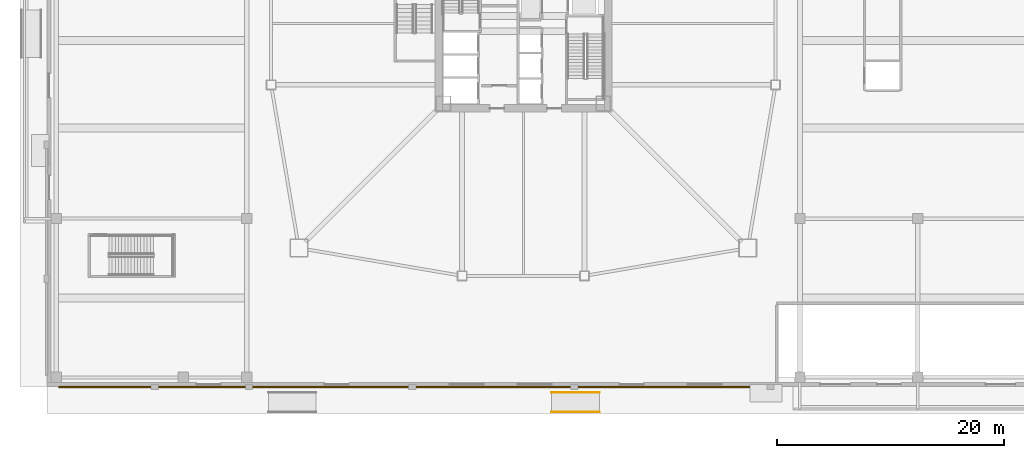
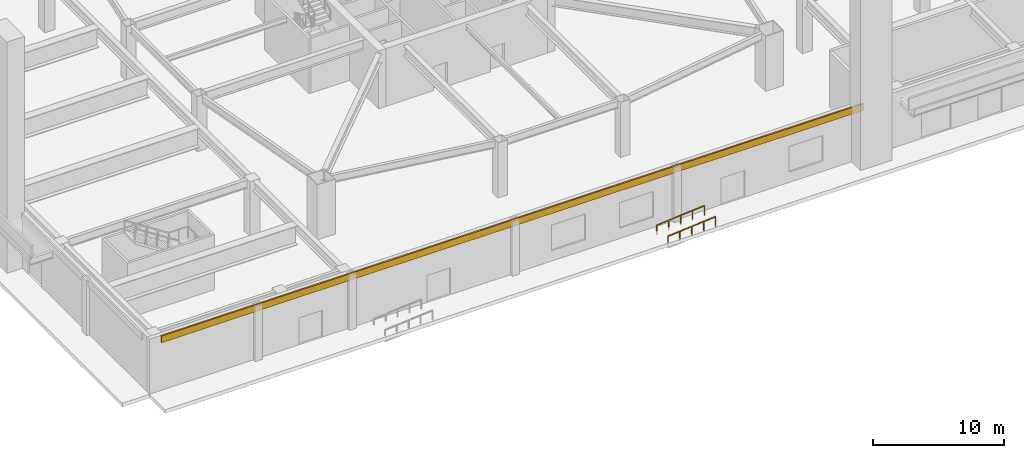
# One storey, part 18 of 26: 2 railings, 1 covering.
"""IFC4 building model written with IfcOpenShell, lengths in metres."""

from ifc_helpers import new_model, si_unit, direction, frame, origin, origin_2d, place, context, subcontext, project, spatial, rectangle, extrude, material, layer, layer_set, type_object, element, save


model = new_model("IFC4")

# Units and contexts
model_context = context("Model", 3, precision=1e-05, world=origin(), true_north=direction((0.0, 1.0)))
body_context = subcontext(model_context, "Body", "Model", "MODEL_VIEW")
ifc_project = project(units=[si_unit("LENGTHUNIT", "METRE"), si_unit("AREAUNIT", "SQUARE_METRE"), si_unit("VOLUMEUNIT", "CUBIC_METRE"), si_unit("PLANEANGLEUNIT", "RADIAN"), si_unit("MASSUNIT", "GRAM", prefix="KILO")], contexts=[model_context])

# Site, building, storey
site_placement = place(None, origin())
site = spatial("IfcSite", under=ifc_project, at=site_placement, CompositionType="ELEMENT")
building_placement = place(site_placement, origin())
building = spatial("IfcBuilding", under=site, at=building_placement, Name="Tashvorn Skyway Center", CompositionType="ELEMENT")
storey_placement = place(building_placement, origin())
storey = spatial("IfcBuildingStorey", under=building, at=storey_placement, Name="L00", CompositionType="ELEMENT", Elevation=0.0)

# Covering
ifc_material_1 = material(Name="Precast concrete C40/50", Category="concrete")
ifc_layer = layer(ifc_material_1, 0.35009765625)
ifc_layer_set = layer_set([ifc_layer], Name="Precast concrete C40/50")
covering_type = type_object("IfcCoveringType", Name="COV-STONE-TRIM", PredefinedType="CLADDING", material=ifc_layer_set)
covering_placement = place(storey_placement, frame((32.0, -0.0400390625, 4.52001953125), z_axis=(0.0, 0.0, 1.0), x_axis=(1.0, 0.0, 0.0)))
element("IfcCovering", 1, at=covering_placement, inside=storey, type_object=covering_type, Name="L00 Mojave Limestone Entablature Band S1", PredefinedType="CLADDING", context=body_context, shape_type="SweptSolid", body=[
    extrude(rectangle(XDim=62.0, YDim=0.139892578125, at=origin_2d()), origin(), (0.0, 0.0, 1.0), 0.6201171875),
])

# Railings
ifc_material_2 = material(Name="Brushed stainless steel 316", Category="steel")
railing_type = type_object("IfcRailingType", Name="RAIL-HAND-920", PredefinedType="HANDRAIL", material=ifc_material_2)
for number, where, name in (
    (2, (44.5, -2.25, -0.35009765625), "Accessible Ramp S2 Handrail L"),
    (3, (44.5, -0.550048828125, -0.35009765625), "Accessible Ramp S2 Handrail R"),
):
    element("IfcRailing", number, at=place(storey_placement, frame(where)), inside=storey, type_object=railing_type, Name=name, PredefinedType="HANDRAIL", context=body_context, shape_type="SweptSolid", body=[
        extrude(rectangle(XDim=0.048095703125, YDim=0.048095703125, at=origin_2d()), frame((0.0, 0.0, 0.89599609375), z_axis=(0.996543760423, 0.0, 0.083069450238), x_axis=(0.0, 1.0, 0.0)), (0.0, 0.0, 1.0), 4.214599609375),
        extrude(rectangle(XDim=0.0419921875, YDim=0.0419921875, at=origin_2d()), origin(), (0.0, 0.0, 1.0), 0.871826171875),
        extrude(rectangle(XDim=0.0419921875, YDim=0.0419921875, at=origin_2d()), frame((1.050048828125, 0.0, 0.08740234375)), (0.0, 0.0, 1.0), 0.871826171875),
        extrude(rectangle(XDim=0.0419921875, YDim=0.0419921875, at=origin_2d()), frame((2.10009765625, 0.0, 0.175048828125)), (0.0, 0.0, 1.0), 0.871826171875),
        extrude(rectangle(XDim=0.0419921875, YDim=0.0419921875, at=origin_2d()), frame((3.14990234375, 0.0, 0.2626953125)), (0.0, 0.0, 1.0), 0.871826171875),
        extrude(rectangle(XDim=0.0419921875, YDim=0.0419921875, at=origin_2d()), frame((4.199951171875, 0.0, 0.35009765625)), (0.0, 0.0, 1.0), 0.871826171875),
    ])

save(model, "model.ifc")
